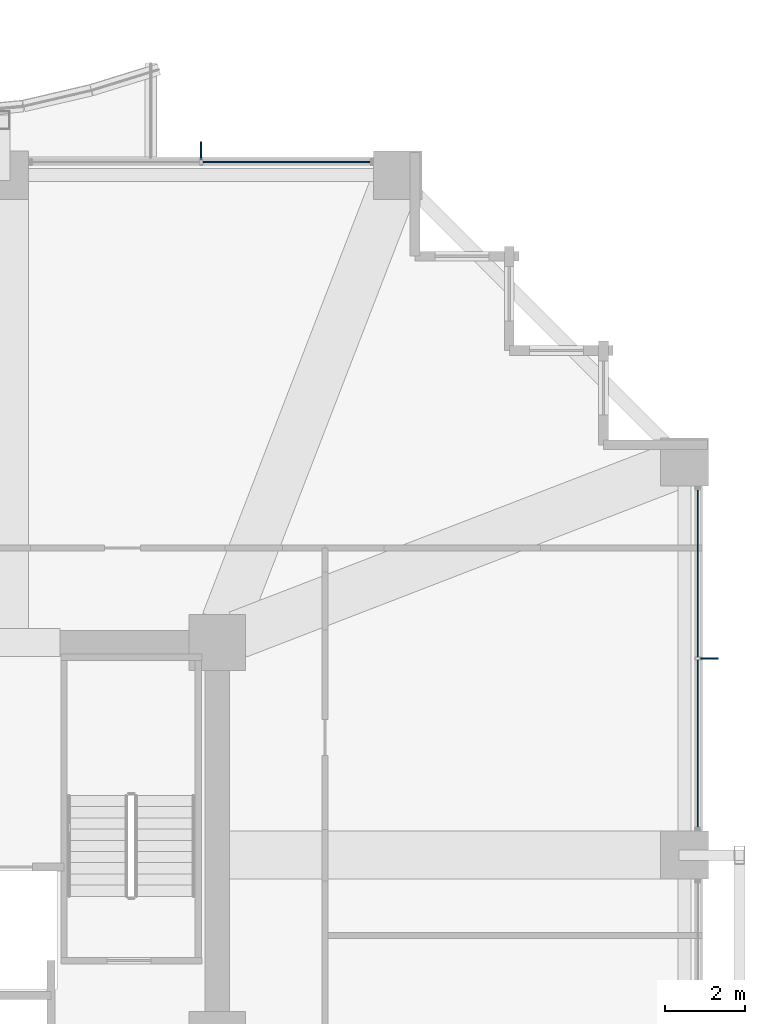
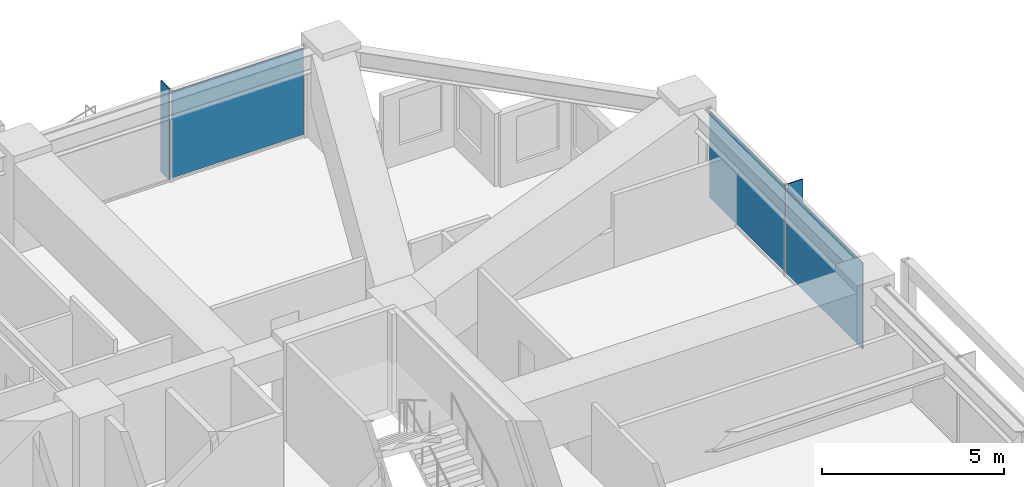
# One storey, part 30 of 37: 5 plates, 2 elements without a shape of their own.
"""IFC4 building model written with IfcOpenShell, lengths in metres."""

import ifcopenshell
import ifcopenshell.guid

model = None  # the IFC model being written
_history = None  # IfcOwnerHistory: only IFC2X3 demands one
_inside = {}  # id of a spatial element -> (the spatial element, [elements in it])
_under = {}  # id of a project, library or spatial element -> (it, [spatial elements below it])
_declared = {}  # id of a project -> (the project, [libraries it declares])
_typed = {}  # id of a type object -> (the type object, [elements of that type])
_made_of = {}  # id of a material, layer set ... -> (it, [elements and type objects made of it])


def new_model(schema):
    """Start an empty IFC model of exactly this schema.

    Asked for "IFC4X3", IfcOpenShell would pick the latest addendum, in which some entities
    have other attributes; the version numbers below select the first issue.
    IFC2X3 requires an IfcOwnerHistory on every rooted entity: one is made here for all.
    """
    global model, _history
    if schema == "IFC4X3":
        model = ifcopenshell.file(schema_version=(4, 3, 0, 0))
    else:
        model = ifcopenshell.file(schema=schema)
    _inside.clear()
    _under.clear()
    _declared.clear()
    _typed.clear()
    _made_of.clear()
    _history = None
    if model.schema == "IFC2X3":
        org = make("IfcOrganization", Name="unknown")
        user = make(
            "IfcPersonAndOrganization",
            ThePerson=make("IfcPerson", FamilyName="unknown"),
            TheOrganization=org,
        )
        app = make(
            "IfcApplication",
            ApplicationDeveloper=org,
            Version="unknown",
            ApplicationFullName="unknown",
            ApplicationIdentifier="unknown",
        )
        _history = make(
            "IfcOwnerHistory",
            OwningUser=user,
            OwningApplication=app,
            ChangeAction="ADDED",
            CreationDate=0,
        )
    return model


def make(cls, **values):
    """One entity of the class cls with the attributes given. An attribute that is None is left unset."""
    return model.create_entity(
        cls, **{name: value for name, value in values.items() if value is not None}
    )


def rooted(cls, **values):
    """An entity with a GlobalId (a new one), such as an element, a storey or a relation."""
    return make(cls, GlobalId=ifcopenshell.guid.new(), OwnerHistory=_history, **values)


def si_unit(unit_type, name, prefix=None):
    """IfcSIUnit, for example si_unit("LENGTHUNIT", "METRE", prefix="MILLI")."""
    return make("IfcSIUnit", UnitType=unit_type, Prefix=prefix, Name=name)


def assignment(units):
    """IfcUnitAssignment: the units of a project."""
    return None if units is None else make("IfcUnitAssignment", Units=units)


def point(xyz):
    """IfcCartesianPoint."""
    return None if xyz is None else make("IfcCartesianPoint", Coordinates=xyz)


def direction(xyz):
    """IfcDirection."""
    return None if xyz is None else make("IfcDirection", DirectionRatios=xyz)


def frame(location, z_axis=None, x_axis=None):
    """IfcAxis2Placement3D, a coordinate frame: its origin and axes. An axis left out is left unset."""
    return make(
        "IfcAxis2Placement3D",
        Location=point(location),
        Axis=direction(z_axis),
        RefDirection=direction(x_axis),
    )


def frame_2d(location, x_axis=None):
    """IfcAxis2Placement2D, a coordinate frame in the plane: its origin and x axis."""
    return make(
        "IfcAxis2Placement2D", Location=point(location), RefDirection=direction(x_axis)
    )


def origin():
    """The frame at (0, 0, 0) with its axes left unset."""
    return frame((0.0, 0.0, 0.0))


def origin_2d():
    """The frame at (0, 0) in the plane with its x axis left unset."""
    return frame_2d((0.0, 0.0))


def place(relative_to, where):
    """IfcLocalPlacement: puts the frame where relative to a parent placement (None: the world)."""
    return make(
        "IfcLocalPlacement", PlacementRelTo=relative_to, RelativePlacement=where
    )


def context(
    kind, dimensions, precision=None, world=None, true_north=None, identifier=None
):
    """IfcGeometricRepresentationContext, for example the 3D "Model" context."""
    return make(
        "IfcGeometricRepresentationContext",
        ContextIdentifier=identifier,
        ContextType=kind,
        CoordinateSpaceDimension=dimensions,
        Precision=precision,
        WorldCoordinateSystem=world,
        TrueNorth=true_north,
    )


def subcontext(parent, identifier, kind, view, scale=None):
    """IfcGeometricRepresentationSubContext, for example "Body" below "Model"."""
    return make(
        "IfcGeometricRepresentationSubContext",
        ContextIdentifier=identifier,
        ContextType=kind,
        ParentContext=parent,
        TargetScale=scale,
        TargetView=view,
    )


def project(units=None, contexts=None):
    """IfcProject with its units and contexts."""
    return rooted(
        "IfcProject",
        Name="project",
        RepresentationContexts=contexts,
        UnitsInContext=assignment(units),
    )


def spatial(cls, under=None, at=None, **own):
    """A site, building, storey or space (cls), placed at a placement, below another one or the project."""
    s = rooted(cls, ObjectPlacement=at, **own)
    if under is not None:
        _under.setdefault(under.id(), (under, []))[1].append(s)
    return s


def profile(cls, at=None, kind="AREA", **sizes):
    """A parametric profile (cls). Its sizes go by their IFC names, for example OverallWidth=200.0."""
    return make(cls, ProfileType=kind, Position=at, **sizes)


def rectangle(**sizes):
    """IfcRectangleProfileDef."""
    return profile("IfcRectangleProfileDef", **sizes)


def extrude(swept, where, along, depth):
    """IfcExtrudedAreaSolid: the profile swept, set in the frame where, extruded along a direction by depth."""
    return make(
        "IfcExtrudedAreaSolid",
        SweptArea=swept,
        Position=where,
        ExtrudedDirection=direction(along),
        Depth=depth,
    )


def shape(context_of_items, identifier, shape_type, items):
    """IfcShapeRepresentation: the items that make up one representation, for example the "Body"."""
    return make(
        "IfcShapeRepresentation",
        ContextOfItems=context_of_items,
        RepresentationIdentifier=identifier,
        RepresentationType=shape_type,
        Items=items,
    )


def material(Name=None, Category=None):
    """IfcMaterial."""
    return make("IfcMaterial", Name=Name, Category=Category)


def layer(
    of_material, thickness, ventilated=None, Name=None, Category=None, Priority=None
):
    """IfcMaterialLayer: one layer of a wall or slab, of a material (None: an air gap)."""
    return make(
        "IfcMaterialLayer",
        Material=of_material,
        LayerThickness=thickness,
        IsVentilated=ventilated,
        Name=Name,
        Category=Category,
        Priority=Priority,
    )


def layer_set(layers, Name=None):
    """IfcMaterialLayerSet."""
    return make("IfcMaterialLayerSet", MaterialLayers=layers, LayerSetName=Name)


def made_of(thing, what):
    """Note that an element or type object is made of a material, layer set ...; save() writes the relation."""
    if what is not None:
        _made_of.setdefault(what.id(), (what, []))[1].append(thing)
    return thing


def type_object(cls, material=None, **own):
    """A type object (cls), such as IfcWallType, which elements share."""
    return made_of(rooted(cls, **own), material)


def element(
    cls,
    number,
    at=None,
    inside=None,
    cuts=None,
    type_object=None,
    material=None,
    context=None,
    identifier="Body",
    shape_type=None,
    held_by="IfcProductDefinitionShape",
    body=None,
    shapes=None,
    **own,
):
    """One element of the class cls, such as IfcWall. Its Tag is "e" and its number.

    at: its placement. inside: the storey or other place that contains it. cuts: it is an
    opening in that element (IfcRelVoidsElement). A single representation is given by context,
    identifier, shape_type and body (its items); several are given by shapes. held_by: the class
    of the entity that holds the representations. save() writes the other relations.
    """
    e = rooted(cls, Tag="e%d" % number, ObjectPlacement=at, **own)
    if body is not None:
        shapes = [shape(context, identifier, shape_type, body)]
    if shapes is not None:
        e.Representation = make(held_by, Representations=shapes)
    if inside is not None:
        _inside.setdefault(inside.id(), (inside, []))[1].append(e)
    if cuts is not None:
        rooted(
            "IfcRelVoidsElement", RelatingBuildingElement=cuts, RelatedOpeningElement=e
        )
    if type_object is not None:
        _typed.setdefault(type_object.id(), (type_object, []))[1].append(e)
    return made_of(e, material)


def aggregate(whole, parts):
    """IfcRelAggregates: a whole, such as a stair, and the parts it consists of."""
    return rooted("IfcRelAggregates", RelatingObject=whole, RelatedObjects=parts)


def save(model, path):
    """Write the relations noted so far, then the file.

    IfcRelAggregates (storeys below a building ...), IfcRelContainedInSpatialStructure (elements
    in a storey), IfcRelDefinesByType, IfcRelAssociatesMaterial and IfcRelDeclares: one each for
    every whole, place, type object, material and project.
    """
    for whole, parts in _under.values():
        aggregate(whole, parts)
    for where, things in _inside.values():
        rooted(
            "IfcRelContainedInSpatialStructure",
            RelatedElements=things,
            RelatingStructure=where,
        )
    for kind, things in _typed.values():
        rooted("IfcRelDefinesByType", RelatedObjects=things, RelatingType=kind)
    for what, things in _made_of.values():
        rooted("IfcRelAssociatesMaterial", RelatedObjects=things, RelatingMaterial=what)
    for by, libraries in _declared.values():
        rooted("IfcRelDeclares", RelatingContext=by, RelatedDefinitions=libraries)
    model.write(path)


model = new_model("IFC4")

# Units and contexts
model_context = context("Model", 3, precision=1e-05, world=origin(), true_north=direction((0.0, 1.0)))
body_context = subcontext(model_context, "Body", "Model", "MODEL_VIEW")
ifc_project = project(units=[si_unit("LENGTHUNIT", "METRE"), si_unit("AREAUNIT", "SQUARE_METRE"), si_unit("VOLUMEUNIT", "CUBIC_METRE"), si_unit("PLANEANGLEUNIT", "RADIAN"), si_unit("MASSUNIT", "GRAM", prefix="KILO")], contexts=[model_context])

# Site, building, storey
site_placement = place(None, origin())
site = spatial("IfcSite", under=ifc_project, at=site_placement, CompositionType="ELEMENT")
building_placement = place(site_placement, origin())
building = spatial("IfcBuilding", under=site, at=building_placement, Name="Kolvaren Belvedere", CompositionType="ELEMENT")
storey_placement = place(building_placement, frame((0.0, 0.0, 56.800048828125)))
storey = spatial("IfcBuildingStorey", under=building, at=storey_placement, Name="L16", CompositionType="ELEMENT", Elevation=56.800048828125)

# Curtain wall, plates
ifc_material_1 = material(Name="Anodised pale-metal aluminium AA 6063-T6", Category="aluminium")
curtain_wall_type = type_object("IfcCurtainWallType", Name="CW-Z1-LOW", PredefinedType="NOTDEFINED", material=ifc_material_1)
curtain_wall_1_placement = place(storey_placement, origin())
curtain_wall_1 = element("IfcCurtainWall", 1, at=curtain_wall_1_placement, inside=storey, type_object=curtain_wall_type, Name="L16 Unitised Curtain Wall FCW-L16-E-B1", PredefinedType="NOTDEFINED")
ifc_material_2 = material(Name="Low-iron triple insulated glass", Category="glass")
ifc_layer_1 = layer(ifc_material_2, 0.028076171875)
ifc_layer_set_1 = layer_set([ifc_layer_1], Name="Low-iron triple insulated glass")
plate_type_1 = type_object("IfcPlateType", Name="CW-PNL-VIS28", PredefinedType="CURTAIN_PANEL", material=ifc_layer_set_1)
plate_1_placement = place(storey_placement, frame((21.8798828125, 11.62255859375, 0.080078125), z_axis=(0.0, 0.0, 1.0), x_axis=(0.0, -1.0, 0.0)))
plate_1 = element("IfcPlate", 2, at=plate_1_placement, type_object=plate_type_1, Name="FCW-L16-E-B1 Vision Glazing Panel 1", PredefinedType="CURTAIN_PANEL", context=body_context, shape_type="SweptSolid", body=[
    extrude(rectangle(XDim=4.1650390625, YDim=0.028076171875, at=origin_2d()), origin(), (0.0, 0.0, 1.0), 2.89990234375),
])
plate_2_placement = place(storey_placement, frame((21.8798828125, 7.37744140625, 0.080078125), z_axis=(0.0, 0.0, 1.0), x_axis=(0.0, -1.0, 0.0)))
plate_2 = element("IfcPlate", 3, at=plate_2_placement, type_object=plate_type_1, Name="FCW-L16-E-B1 Vision Glazing Panel 2", PredefinedType="CURTAIN_PANEL", context=body_context, shape_type="SweptSolid", body=[
    extrude(rectangle(XDim=4.1650390625, YDim=0.028076171875, at=origin_2d()), origin(), (0.0, 0.0, 1.0), 2.89990234375),
])
aggregate(curtain_wall_1, [plate_1, plate_2])

# Curtain wall, plate
curtain_wall_2_placement = place(storey_placement, origin())
curtain_wall_2 = element("IfcCurtainWall", 4, at=curtain_wall_2_placement, inside=storey, type_object=curtain_wall_type, Name="L16 Unitised Curtain Wall FCW-L16-N2-B2", PredefinedType="NOTDEFINED")
plate_3_placement = place(storey_placement, frame((11.62255859375, 21.8798828125, 0.080078125), z_axis=(0.0, 0.0, 1.0), x_axis=(1.0, 0.0, 0.0)))
plate_3 = element("IfcPlate", 5, at=plate_3_placement, type_object=plate_type_1, Name="FCW-L16-N2-B2 Vision Glazing Panel 2", PredefinedType="CURTAIN_PANEL", context=body_context, shape_type="SweptSolid", body=[
    extrude(rectangle(XDim=4.1650390625, YDim=0.028076171875, at=origin_2d()), origin(), (0.0, 0.0, 1.0), 2.89990234375),
])
aggregate(curtain_wall_2, [plate_3])

# Plates
ifc_material_3 = material(Name="Anodised pale-metal aluminium AA 6063-T6", Category="aluminium")
ifc_layer_2 = layer(ifc_material_3, 0.0380859375)
ifc_layer_set_2 = layer_set([ifc_layer_2], Name="Anodised pale-metal aluminium AA 6063-T6")
plate_type_2 = type_object("IfcPlateType", Name="FIN-VERT-450", PredefinedType="USERDEFINED", material=ifc_layer_set_2)
for number, where, z_axis, x_axis, name in (
    (6, (22.1650390625, 9.5, 0.0), (0.0, 0.0, 1.0), (1.0, 0.0, 0.0), "L16 Pale-Metal Vertical Shading Fin FCW-L16-E-B1-1"),
    (7, (9.5, 22.1650390625, 0.0), (0.0, 0.0, 1.0), (0.0, 1.0, 0.0), "L16 Pale-Metal Vertical Shading Fin FCW-L16-N2-B2-1"),
):
    element("IfcPlate", number, at=place(storey_placement, frame(where, z_axis=z_axis, x_axis=x_axis)), inside=storey, type_object=plate_type_2, Name=name, ObjectType="VERTICAL FIN", PredefinedType="USERDEFINED", context=body_context, shape_type="SweptSolid", body=[
        extrude(rectangle(XDim=0.449951171875, YDim=0.0380859375, at=origin_2d()), origin(), (0.0, 0.0, 1.0), 3.06005859375),
    ])

save(model, "model.ifc")
